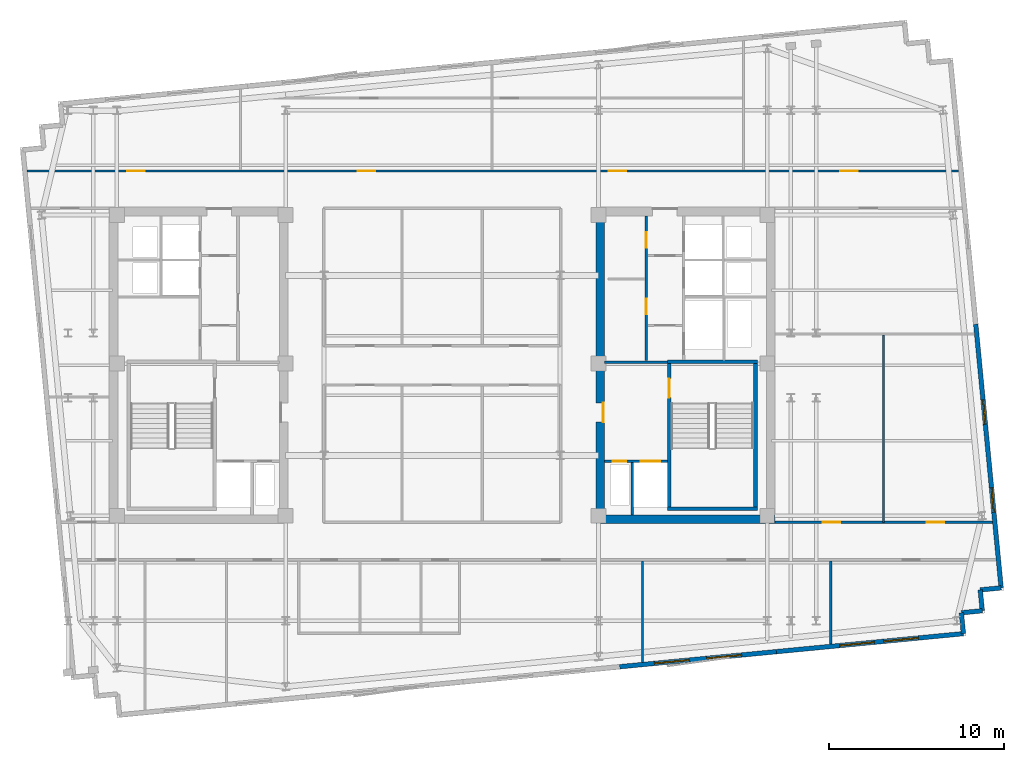
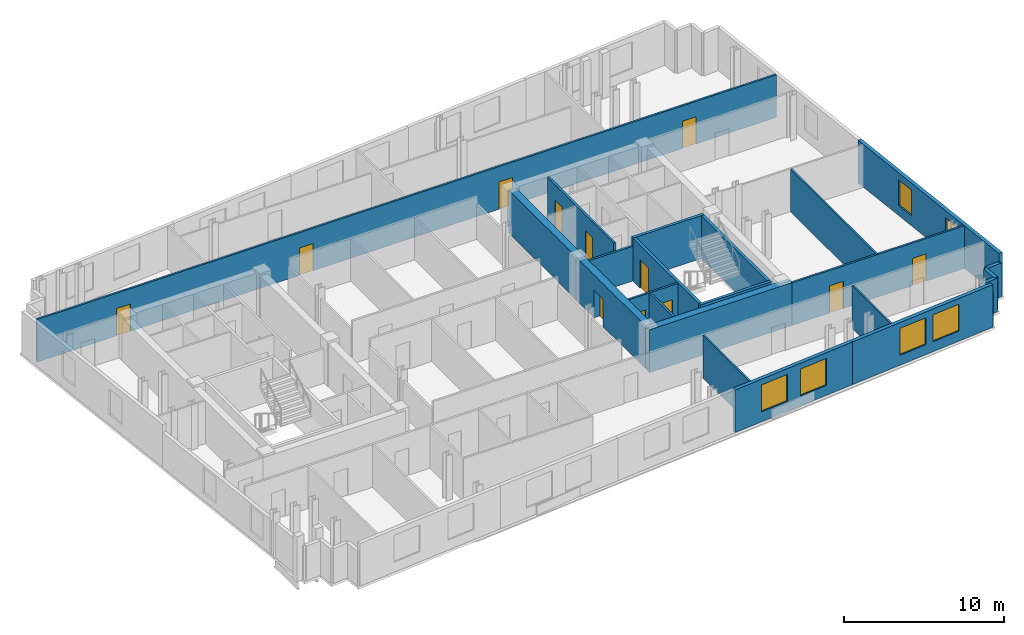
# One storey, part 5 of 9: 22 walls, 12 doors, 6 windows, 18 openings.
"""IFC4 building model written with IfcOpenShell, lengths in metres."""

from ifc_helpers import new_model, si_unit, direction, frame, frame_2d, origin, place, context, subcontext, project, spatial, rectangle, extrude, material, layer, layer_set, type_object, element, fill, save


model = new_model("IFC4")

# Units and contexts
model_context = context("Model", 3, precision=1e-05, world=origin(), true_north=direction((0.0, 1.0)))
body_context = subcontext(model_context, "Body", "Model", "MODEL_VIEW")
ifc_project = project(units=[si_unit("LENGTHUNIT", "METRE"), si_unit("AREAUNIT", "SQUARE_METRE"), si_unit("VOLUMEUNIT", "CUBIC_METRE"), si_unit("PLANEANGLEUNIT", "RADIAN"), si_unit("MASSUNIT", "GRAM", prefix="KILO")], contexts=[model_context])

# Site, building, storey
site_placement = place(None, origin())
site = spatial("IfcSite", under=ifc_project, at=site_placement, CompositionType="ELEMENT")
building_placement = place(site_placement, origin())
building = spatial("IfcBuilding", under=site, at=building_placement, Name="Velakula Bourse", CompositionType="ELEMENT")
storey_placement = place(building_placement, frame((0.0, 0.0, 272.39990234375)))
storey = spatial("IfcBuildingStorey", under=building, at=storey_placement, Name="L74", CompositionType="ELEMENT", Elevation=272.39990234375)

# Wall, opening, door
ifc_material_1 = material(Name="Concrete M50 (fck 50 MPa)", Category="concrete")
ifc_layer_1 = layer(ifc_material_1, 0.2099609375, Name="Concrete M50 (fck 50 MPa)", Category="concrete")
ifc_layer_set_1 = layer_set([ifc_layer_1], Name="Concrete M50 (fck 50 MPa)")
wall_type_1 = type_object("IfcWallType", Name="WL-CORE-210", PredefinedType="SHEAR", material=ifc_layer_set_1)
wall_1_placement = place(storey_placement, frame((12.9951171875, -8.10009765625, 0.0), z_axis=(0.0, 0.0, 1.0), x_axis=(0.0, 1.0, 0.0)))
wall_1 = element("IfcWall", 1, at=wall_1_placement, inside=storey, type_object=wall_type_1, Name="L74 Core E Stairwell Shear Wall IN", PredefinedType="SHEAR", context=body_context, shape_type="SweptSolid", body=[
    extrude(rectangle(XDim=8.2001953125, YDim=0.2099609375, at=frame_2d((4.10009765625, 0.0))), origin(), (0.0, 0.0, 1.0), 3.27001953125),
])
opening_1_placement = place(wall_1_placement, frame((6.25, 0.0, 0.0)))
opening_1 = element("IfcOpeningElement", 2, at=opening_1_placement, cuts=wall_1, Name="Opening D-STE1", PredefinedType="OPENING", context=body_context, shape_type="SweptSolid", body=[
    extrude(rectangle(XDim=1.10009765625, YDim=2.14990234375, at=frame_2d((0.550048828125, 1.074951171875))), frame((0.0, 0.114990234375, 0.0), z_axis=(0.0, -1.0, 0.0), x_axis=(1.0, 0.0, 0.0)), (0.0, 0.0, 1.0), 0.22998046875),
])
ifc_material_2 = material(Name="Galvanised painted hollow steel fire door", Category="steel")
door_type_1 = type_object("IfcDoorType", Name="DR-FD120-1100x2150", OperationType="NOTDEFINED", PredefinedType="DOOR", material=ifc_material_2)
door_1_placement = place(opening_1_placement, origin())
door_1 = element("IfcDoor", 3, at=door_1_placement, inside=storey, type_object=door_type_1, Name="L74 Stair ST-E1 Fire Door", OperationType="SINGLE_SWING_RIGHT", OverallHeight=2.14990234375, OverallWidth=1.10009765625, PredefinedType="DOOR", context=body_context, shape_type="SweptSolid", body=[
    extrude(rectangle(XDim=1.10009765625, YDim=2.14990234375, at=frame_2d((0.550048828125, 1.074951171875))), frame((0.0, 0.02490234375, 0.0), z_axis=(0.0, -1.0, 0.0), x_axis=(1.0, 0.0, 0.0)), (0.0, 0.0, 1.0), 0.050048828125),
])
fill(opening_1, door_1)

# Walls
wall_2_placement = place(storey_placement, frame((17.925048828125, -8.10009765625, 0.0), z_axis=(0.0, 0.0, 1.0), x_axis=(0.0, 1.0, 0.0)))
element("IfcWall", 4, at=wall_2_placement, inside=storey, type_object=wall_type_1, Name="L74 Core E Stairwell Shear Wall OUT", PredefinedType="SHEAR", context=body_context, shape_type="SweptSolid", body=[
    extrude(rectangle(XDim=8.2001953125, YDim=0.2099609375, at=frame_2d((4.10009765625, 0.0))), origin(), (0.0, 0.0, 1.0), 3.27001953125),
])
for number, where, z_axis, x_axis, name in (
    (5, (12.889892578125, -8.205078125, 0.0), (0.0, 0.0, 1.0), (1.0, 0.0, 0.0), "L74 Core E Stairwell Shear Wall S"),
    (6, (18.030029296875, 0.205078125, 0.0), (0.0, 0.0, 1.0), (-1.0, 0.0, 0.0), "L74 Core E Stairwell Shear Wall N"),
):
    element("IfcWall", number, at=place(storey_placement, frame(where, z_axis=z_axis, x_axis=x_axis)), inside=storey, type_object=wall_type_1, Name=name, PredefinedType="SHEAR", context=body_context, shape_type="SweptSolid", body=[
        extrude(rectangle(XDim=5.14013671875, YDim=0.2099609375, at=frame_2d((2.570068359375, 0.0))), origin(), (0.0, 0.0, 1.0), 3.27001953125),
    ])
ifc_layer_2 = layer(ifc_material_1, 0.5, Name="Concrete M50 (fck 50 MPa)", Category="concrete")
ifc_layer_set_2 = layer_set([ifc_layer_2], Name="Concrete M50 (fck 50 MPa)")
wall_type_2 = type_object("IfcWallType", Name="WL-CORE-500", PredefinedType="SHEAR", material=ifc_layer_set_2)
wall_3_placement = place(storey_placement, frame((8.800048828125, -8.800048828125, 0.0), z_axis=(0.0, 0.0, 1.0), x_axis=(1.0, 0.0, 0.0)))
element("IfcWall", 7, at=wall_3_placement, inside=storey, type_object=wall_type_2, Name="L74 Core E Shear Wall S", PredefinedType="SHEAR", context=body_context, shape_type="SweptSolid", body=[
    extrude(rectangle(XDim=10.25, YDim=0.5, at=frame_2d((5.125, 0.0))), origin(), (0.0, 0.0, 1.0), 3.27001953125),
])

# Wall, opening, door
wall_4_placement = place(storey_placement, frame((9.050048828125, -8.550048828125, 0.0), z_axis=(0.0, 0.0, 1.0), x_axis=(0.0, 1.0, 0.0)))
wall_4 = element("IfcWall", 8, at=wall_4_placement, inside=storey, type_object=wall_type_2, Name="L74 Core E Shear Wall W", PredefinedType="SHEAR", context=body_context, shape_type="SweptSolid", body=[
    extrude(rectangle(XDim=17.10009765625, YDim=0.5, at=frame_2d((8.550048828125, 0.0))), origin(), (0.0, 0.0, 1.0), 3.27001953125),
])
opening_2_placement = place(wall_4_placement, frame((5.300048828125, 0.0, 0.0)))
opening_2 = element("IfcOpeningElement", 9, at=opening_2_placement, cuts=wall_4, Name="Opening D-FLE", PredefinedType="OPENING", context=body_context, shape_type="SweptSolid", body=[
    extrude(rectangle(XDim=1.10009765625, YDim=2.080078125, at=frame_2d((0.550048828125, 1.0400390625))), frame((0.0, 0.260009765625, 0.0), z_axis=(0.0, -1.0, 0.0), x_axis=(1.0, 0.0, 0.0)), (0.0, 0.0, 1.0), 0.52001953125),
])
door_type_2 = type_object("IfcDoorType", Name="DR-FD120-1100", OperationType="NOTDEFINED", PredefinedType="DOOR", material=ifc_material_2)
door_2_placement = place(opening_2_placement, origin())
door_2 = element("IfcDoor", 10, at=door_2_placement, inside=storey, type_object=door_type_2, Name="L74 Firefighting Lobby E Corridor Fire Door", OperationType="SINGLE_SWING_RIGHT", OverallHeight=2.080078125, OverallWidth=1.10009765625, PredefinedType="DOOR", context=body_context, shape_type="SweptSolid", body=[
    extrude(rectangle(XDim=1.10009765625, YDim=2.080078125, at=frame_2d((0.550048828125, 1.0400390625))), frame((0.0, -0.15478515625, 0.0), z_axis=(0.0, -1.0, 0.0), x_axis=(1.0, 0.0, 0.0)), (0.0, 0.0, 1.0), 0.050048828125),
])
fill(opening_2, door_2)

# Wall, openings, windows
ifc_material_3 = material(Name="Buff kilned clay facing brick masonry", Category="masonry")
ifc_layer_3 = layer(ifc_material_3, 0.260009765625, Name="Buff kilned clay facing brick masonry", Category="masonry")
ifc_layer_set_3 = layer_set([ifc_layer_3], Name="Buff kilned clay facing brick masonry")
wall_type_3 = type_object("IfcWallType", Name="WL-EXT-BRK-260", PredefinedType="STANDARD", material=ifc_layer_set_3)
wall_5_placement = place(storey_placement, frame((19.119873046875, -16.375244140625, 0.0), z_axis=(0.0, 0.0, 1.0), x_axis=(-0.995396794462, -0.09583956164, 0.0)))
wall_5 = element("IfcWall", 11, at=wall_5_placement, inside=storey, type_object=wall_type_3, Name="L74 S Brick Spandrel Wall B4", PredefinedType="STANDARD", context=body_context, shape_type="SweptSolid", body=[
    extrude(rectangle(XDim=9.0, YDim=0.260009765625, at=frame_2d((4.5, 0.0))), origin(), (0.0, 0.0, 1.0), 3.25),
])
opening_3_placement = place(wall_5_placement, frame((2.0, 0.0, 0.760009765625)))
opening_3 = element("IfcOpeningElement", 12, at=opening_3_placement, cuts=wall_5, Name="Opening W-05", PredefinedType="OPENING", context=body_context, shape_type="SweptSolid", body=[
    extrude(rectangle(XDim=2.0, YDim=2.050048828125, at=frame_2d((1.0, 1.02490234375))), frame((0.0, 0.139892578125, 0.0), z_axis=(0.0, -1.0, 0.0), x_axis=(1.0, 0.0, 0.0)), (0.0, 0.0, 1.0), 0.280029296875),
])
opening_4_placement = place(wall_5_placement, frame((5.0, 0.0, 0.760009765625)))
opening_4 = element("IfcOpeningElement", 13, at=opening_4_placement, cuts=wall_5, Name="Opening W-05", PredefinedType="OPENING", context=body_context, shape_type="SweptSolid", body=[
    extrude(rectangle(XDim=2.0, YDim=2.050048828125, at=frame_2d((1.0, 1.02490234375))), frame((0.0, 0.139892578125, 0.0), z_axis=(0.0, -1.0, 0.0), x_axis=(1.0, 0.0, 0.0)), (0.0, 0.0, 1.0), 0.280029296875),
])
ifc_material_4 = material(Name="Double-glazed solar-control Low-E glass", Category="glass")
window_type_1 = type_object("IfcWindowType", Name="WIN-TWR-2000x2200", PartitioningType="DOUBLE_PANEL_VERTICAL", PredefinedType="WINDOW", material=ifc_material_4)
window_1_placement = place(opening_3_placement, origin())
window_1 = element("IfcWindow", 14, at=window_1_placement, inside=storey, type_object=window_type_1, Name="L74 Deep-Set Recessed Window 1", OverallHeight=2.050048828125, OverallWidth=2.0, PartitioningType="DOUBLE_PANEL_VERTICAL", PredefinedType="WINDOW", context=body_context, shape_type="SweptSolid", body=[
    extrude(rectangle(XDim=2.0, YDim=2.050048828125, at=frame_2d((1.0, 1.02490234375))), frame((0.0, 0.030029296875, 0.0), z_axis=(0.0, -1.0, 0.0), x_axis=(1.0, 0.0, 0.0)), (0.0, 0.0, 1.0), 0.06005859375),
])
fill(opening_3, window_1)
window_2_placement = place(opening_4_placement, origin())
window_2 = element("IfcWindow", 15, at=window_2_placement, inside=storey, type_object=window_type_1, Name="L74 Deep-Set Recessed Window 2", OverallHeight=2.050048828125, OverallWidth=2.0, PartitioningType="DOUBLE_PANEL_VERTICAL", PredefinedType="WINDOW", context=body_context, shape_type="SweptSolid", body=[
    extrude(rectangle(XDim=2.0, YDim=2.050048828125, at=frame_2d((1.0, 1.02490234375))), frame((0.0, 0.030029296875, 0.0), z_axis=(0.0, -1.0, 0.0), x_axis=(1.0, 0.0, 0.0)), (0.0, 0.0, 1.0), 0.06005859375),
])
fill(opening_4, window_2)

wall_6_placement = place(storey_placement, frame((29.820556640625, -15.344970703125, 0.0), z_axis=(0.0, 0.0, 1.0), x_axis=(-0.995396954468, -0.095837899791, 0.0)))
wall_6 = element("IfcWall", 16, at=wall_6_placement, inside=storey, type_object=wall_type_3, Name="L74 S Brick Spandrel Wall B5", PredefinedType="STANDARD", context=body_context, shape_type="SweptSolid", body=[
    extrude(rectangle(XDim=10.750244140625, YDim=0.260009765625, at=frame_2d((5.375, 0.0))), origin(), (0.0, 0.0, 1.0), 3.25),
])
opening_5_placement = place(wall_6_placement, frame((2.583251953125, 0.0, 0.760009765625)))
opening_5 = element("IfcOpeningElement", 17, at=opening_5_placement, cuts=wall_6, Name="Opening W-05", PredefinedType="OPENING", context=body_context, shape_type="SweptSolid", body=[
    extrude(rectangle(XDim=2.0, YDim=2.050048828125, at=frame_2d((1.0, 1.02490234375))), frame((0.0, 0.139892578125, 0.0), z_axis=(0.0, -1.0, 0.0), x_axis=(1.0, 0.0, 0.0)), (0.0, 0.0, 1.0), 0.280029296875),
])
opening_6_placement = place(wall_6_placement, frame((5.11669921875, 0.0, 0.760009765625)))
opening_6 = element("IfcOpeningElement", 18, at=opening_6_placement, cuts=wall_6, Name="Opening W-05", PredefinedType="OPENING", context=body_context, shape_type="SweptSolid", body=[
    extrude(rectangle(XDim=2.0, YDim=2.050048828125, at=frame_2d((1.0, 1.02490234375))), frame((0.0, 0.139892578125, 0.0), z_axis=(0.0, -1.0, 0.0), x_axis=(1.0, 0.0, 0.0)), (0.0, 0.0, 1.0), 0.280029296875),
])
window_3_placement = place(opening_5_placement, origin())
window_3 = element("IfcWindow", 19, at=window_3_placement, inside=storey, type_object=window_type_1, Name="L74 Deep-Set Recessed Window 1", OverallHeight=2.050048828125, OverallWidth=2.0, PartitioningType="DOUBLE_PANEL_VERTICAL", PredefinedType="WINDOW", context=body_context, shape_type="SweptSolid", body=[
    extrude(rectangle(XDim=2.0, YDim=2.050048828125, at=frame_2d((1.0, 1.02490234375))), frame((0.0, 0.030029296875, 0.0), z_axis=(0.0, -1.0, 0.0), x_axis=(1.0, 0.0, 0.0)), (0.0, 0.0, 1.0), 0.06005859375),
])
fill(opening_5, window_3)
window_4_placement = place(opening_6_placement, origin())
window_4 = element("IfcWindow", 20, at=window_4_placement, inside=storey, type_object=window_type_1, Name="L74 Deep-Set Recessed Window 2", OverallHeight=2.050048828125, OverallWidth=2.0, PartitioningType="DOUBLE_PANEL_VERTICAL", PredefinedType="WINDOW", context=body_context, shape_type="SweptSolid", body=[
    extrude(rectangle(XDim=2.0, YDim=2.050048828125, at=frame_2d((1.0, 1.02490234375))), frame((0.0, 0.030029296875, 0.0), z_axis=(0.0, -1.0, 0.0), x_axis=(1.0, 0.0, 0.0)), (0.0, 0.0, 1.0), 0.06005859375),
])
fill(opening_6, window_4)

wall_7_placement = place(storey_placement, frame((30.52734375, 2.354248046875, 0.0), z_axis=(0.0, 0.0, 1.0), x_axis=(0.095850890337, -0.995395703638, 0.0)))
wall_7 = element("IfcWall", 21, at=wall_7_placement, inside=storey, type_object=wall_type_3, Name="L74 E Brick End Wall W1", PredefinedType="STANDARD", context=body_context, shape_type="SweptSolid", body=[
    extrude(rectangle(XDim=15.150146484375, YDim=0.260009765625, at=frame_2d((7.5751953125, 0.0))), origin(), (0.0, 0.0, 1.0), 3.25),
])
opening_7_placement = place(wall_7_placement, frame((4.35009765625, 0.0, 0.760009765625)))
opening_7 = element("IfcOpeningElement", 22, at=opening_7_placement, cuts=wall_7, Name="Opening W-03", PredefinedType="OPENING", context=body_context, shape_type="SweptSolid", body=[
    extrude(rectangle(XDim=1.39990234375, YDim=1.949951171875, at=frame_2d((0.699951171875, 0.97509765625))), frame((0.0, 0.139892578125, 0.0), z_axis=(0.0, -1.0, 0.0), x_axis=(1.0, 0.0, 0.0)), (0.0, 0.0, 1.0), 0.280029296875),
])
opening_8_placement = place(wall_7_placement, frame((9.39990234375, 0.0, 0.760009765625)))
opening_8 = element("IfcOpeningElement", 23, at=opening_8_placement, cuts=wall_7, Name="Opening W-03", PredefinedType="OPENING", context=body_context, shape_type="SweptSolid", body=[
    extrude(rectangle(XDim=1.39990234375, YDim=1.949951171875, at=frame_2d((0.699951171875, 0.97509765625))), frame((0.0, 0.139892578125, 0.0), z_axis=(0.0, -1.0, 0.0), x_axis=(1.0, 0.0, 0.0)), (0.0, 0.0, 1.0), 0.280029296875),
])
window_type_2 = type_object("IfcWindowType", Name="WIN-TWR-1400x2100", PartitioningType="SINGLE_PANEL", PredefinedType="WINDOW", material=ifc_material_4)
window_5_placement = place(opening_7_placement, origin())
window_5 = element("IfcWindow", 24, at=window_5_placement, inside=storey, type_object=window_type_2, Name="L74 Deep-Set Recessed Window 1", OverallHeight=1.949951171875, OverallWidth=1.39990234375, PartitioningType="SINGLE_PANEL", PredefinedType="WINDOW", context=body_context, shape_type="SweptSolid", body=[
    extrude(rectangle(XDim=1.39990234375, YDim=1.949951171875, at=frame_2d((0.699951171875, 0.97509765625))), frame((0.0, 0.030029296875, 0.0), z_axis=(0.0, -1.0, 0.0), x_axis=(1.0, 0.0, 0.0)), (0.0, 0.0, 1.0), 0.06005859375),
])
fill(opening_7, window_5)
window_6_placement = place(opening_8_placement, origin())
window_6 = element("IfcWindow", 25, at=window_6_placement, inside=storey, type_object=window_type_2, Name="L74 Deep-Set Recessed Window 2", OverallHeight=1.949951171875, OverallWidth=1.39990234375, PartitioningType="SINGLE_PANEL", PredefinedType="WINDOW", context=body_context, shape_type="SweptSolid", body=[
    extrude(rectangle(XDim=1.39990234375, YDim=1.949951171875, at=frame_2d((0.699951171875, 0.97509765625))), frame((0.0, 0.030029296875, 0.0), z_axis=(0.0, -1.0, 0.0), x_axis=(1.0, 0.0, 0.0)), (0.0, 0.0, 1.0), 0.06005859375),
])
fill(opening_8, window_6)

# Walls
for number, where, z_axis, x_axis, name in (
    (26, (29.820556640625, -15.344970703125, 0.0), (0.0, 0.0, 1.0), (-0.096018626938, 0.995379537303, 0.0), "L74 Serrated Corner Brick Wall SE-1"),
    (27, (29.705322265625, -14.150390625, 0.0), (0.0, 0.0, 1.0), (0.995398960025, 0.095817067274, 0.0), "L74 Serrated Corner Brick Wall SE-2"),
):
    element("IfcWall", number, at=place(storey_placement, frame(where, z_axis=z_axis, x_axis=x_axis)), inside=storey, type_object=wall_type_3, Name=name, PredefinedType="STANDARD", context=body_context, shape_type="SweptSolid", body=[
        extrude(rectangle(XDim=1.2001953125, YDim=0.260009765625, at=frame_2d((0.60009765625, 0.0))), origin(), (0.0, 0.0, 1.0), 2.565185546875),
    ])
wall_8_placement = place(storey_placement, frame((30.89990234375, -14.035400390625, 0.0), z_axis=(0.0, 0.0, 1.0), x_axis=(-0.095836473879, 0.995397091755, 0.0)))
element("IfcWall", 28, at=wall_8_placement, inside=storey, type_object=wall_type_3, Name="L74 Serrated Corner Brick Wall SE-3", PredefinedType="STANDARD", context=body_context, shape_type="SweptSolid", body=[
    extrude(rectangle(XDim=1.199951171875, YDim=0.260009765625, at=frame_2d((0.60009765625, 0.0))), origin(), (0.0, 0.0, 1.0), 2.565185546875),
])
wall_9_placement = place(storey_placement, frame((30.784912109375, -12.841064453125, 0.0), z_axis=(0.0, 0.0, 1.0), x_axis=(0.995398960025, 0.095817067274, 0.0)))
element("IfcWall", 29, at=wall_9_placement, inside=storey, type_object=wall_type_3, Name="L74 Serrated Corner Brick Wall SE-4", PredefinedType="STANDARD", context=body_context, shape_type="SweptSolid", body=[
    extrude(rectangle(XDim=1.2001953125, YDim=0.260009765625, at=frame_2d((0.60009765625, 0.0))), origin(), (0.0, 0.0, 1.0), 2.565185546875),
])
ifc_material_5 = material(Name="Fire-rated double-layer gypsum drywall partition", Category="gypsum")
ifc_layer_4 = layer(ifc_material_5, 0.1201171875, Name="Fire-rated double-layer gypsum drywall partition", Category="gypsum")
ifc_layer_set_4 = layer_set([ifc_layer_4], Name="Fire-rated double-layer gypsum drywall partition")
wall_type_4 = type_object("IfcWallType", Name="WL-PART-120", PredefinedType="STANDARD", material=ifc_layer_set_4)
wall_10_placement = place(storey_placement, frame((11.4619140625, -16.982177734375, 0.0), z_axis=(0.0, 0.0, 1.0), x_axis=(0.0, 1.0, 0.0)))
element("IfcWall", 30, at=wall_10_placement, inside=storey, type_object=wall_type_4, Name="L74 Interior Partition WL-INT-L74-SR-D7", PredefinedType="STANDARD", context=body_context, shape_type="SweptSolid", body=[
    extrude(rectangle(XDim=5.792236328125, YDim=0.1201171875, at=frame_2d((2.89599609375, 0.0))), origin(), (0.0, 0.0, 1.0), 3.25),
])
wall_11_placement = place(storey_placement, frame((22.23291015625, -15.94482421875, 0.0), z_axis=(0.0, 0.0, 1.0), x_axis=(0.0, 1.0, 0.0)))
element("IfcWall", 31, at=wall_11_placement, inside=storey, type_object=wall_type_4, Name="L74 Interior Partition WL-INT-L74-SR-D8", PredefinedType="STANDARD", context=body_context, shape_type="SweptSolid", body=[
    extrude(rectangle(XDim=4.7548828125, YDim=0.1201171875, at=frame_2d((2.37744140625, 0.0))), origin(), (0.0, 0.0, 1.0), 3.25),
])
wall_12_placement = place(storey_placement, frame((25.239013671875, -8.97998046875, 0.0), z_axis=(0.0, 0.0, 1.0), x_axis=(0.0, 1.0, 0.0)))
element("IfcWall", 32, at=wall_12_placement, inside=storey, type_object=wall_type_4, Name="L74 Interior Partition WL-INT-L74-E-VS", PredefinedType="STANDARD", context=body_context, shape_type="SweptSolid", body=[
    extrude(rectangle(XDim=10.719970703125, YDim=0.1201171875, at=frame_2d((5.35986328125, 0.0))), origin(), (0.0, 0.0, 1.0), 3.25),
])

# Wall, openings, doors
ifc_layer_5 = layer(ifc_material_5, 0.139892578125, Name="Fire-rated double-layer gypsum drywall partition", Category="gypsum")
ifc_layer_set_5 = layer_set([ifc_layer_5], Name="Fire-rated double-layer gypsum drywall partition")
wall_type_5 = type_object("IfcWallType", Name="WL-PART-140", PredefinedType="STANDARD", material=ifc_layer_set_5)
wall_13_placement = place(storey_placement, frame((-23.732666015625, 11.1201171875, 0.0), z_axis=(0.0, 0.0, 1.0), x_axis=(1.0, 0.0, 0.0)))
wall_13 = element("IfcWall", 33, at=wall_13_placement, inside=storey, type_object=wall_type_5, Name="L74 Interior Partition WL-INT-L74-N-CORR", PredefinedType="STANDARD", context=body_context, shape_type="SweptSolid", body=[
    extrude(rectangle(XDim=53.285400390625, YDim=0.139892578125, at=frame_2d((26.642578125, 0.0))), origin(), (0.0, 0.0, 1.0), 3.25),
])
opening_9_placement = place(wall_13_placement, frame((5.730712890625, 0.0, 0.0)))
opening_9 = element("IfcOpeningElement", 34, at=opening_9_placement, cuts=wall_13, Name="Opening D-OF1", PredefinedType="OPENING", context=body_context, shape_type="SweptSolid", body=[
    extrude(rectangle(XDim=1.0, YDim=2.080078125, at=frame_2d((0.5, 1.0400390625))), frame((0.0, 0.079833984375, 0.0), z_axis=(0.0, -1.0, 0.0), x_axis=(1.0, 0.0, 0.0)), (0.0, 0.0, 1.0), 0.159912109375),
])
opening_10_placement = place(wall_13_placement, frame((18.899658203125, 0.0, 0.0)))
opening_10 = element("IfcOpeningElement", 35, at=opening_10_placement, cuts=wall_13, Name="Opening D-OF1", PredefinedType="OPENING", context=body_context, shape_type="SweptSolid", body=[
    extrude(rectangle(XDim=1.0, YDim=2.080078125, at=frame_2d((0.5, 1.0400390625))), frame((0.0, 0.079833984375, 0.0), z_axis=(0.0, -1.0, 0.0), x_axis=(1.0, 0.0, 0.0)), (0.0, 0.0, 1.0), 0.159912109375),
])
opening_11_placement = place(wall_13_placement, frame((33.279052734375, 0.0, 0.0)))
opening_11 = element("IfcOpeningElement", 36, at=opening_11_placement, cuts=wall_13, Name="Opening D-OF1", PredefinedType="OPENING", context=body_context, shape_type="SweptSolid", body=[
    extrude(rectangle(XDim=1.0, YDim=2.080078125, at=frame_2d((0.5, 1.0400390625))), frame((0.0, 0.079833984375, 0.0), z_axis=(0.0, -1.0, 0.0), x_axis=(1.0, 0.0, 0.0)), (0.0, 0.0, 1.0), 0.159912109375),
])
opening_12_placement = place(wall_13_placement, frame((46.5009765625, 0.0, 0.0)))
opening_12 = element("IfcOpeningElement", 37, at=opening_12_placement, cuts=wall_13, Name="Opening D-OF1", PredefinedType="OPENING", context=body_context, shape_type="SweptSolid", body=[
    extrude(rectangle(XDim=1.0, YDim=2.080078125, at=frame_2d((0.5, 1.0400390625))), frame((0.0, 0.079833984375, 0.0), z_axis=(0.0, -1.0, 0.0), x_axis=(1.0, 0.0, 0.0)), (0.0, 0.0, 1.0), 0.159912109375),
])
ifc_material_6 = material(Name="Fire-rated hardwood flush architectural door", Category="wood")
door_type_3 = type_object("IfcDoorType", Name="DR-OFF-1000", OperationType="NOTDEFINED", PredefinedType="DOOR", material=ifc_material_6)
door_3_placement = place(opening_9_placement, origin())
door_3 = element("IfcDoor", 38, at=door_3_placement, inside=storey, type_object=door_type_3, Name="L74 Cybersecurity Operations Workspace Door", OperationType="SINGLE_SWING_LEFT", OverallHeight=2.080078125, OverallWidth=1.0, PredefinedType="DOOR", context=body_context, shape_type="SweptSolid", body=[
    extrude(rectangle(XDim=1.0, YDim=2.080078125, at=frame_2d((0.5, 1.0400390625))), frame((0.0, 0.02490234375, 0.0), z_axis=(0.0, -1.0, 0.0), x_axis=(1.0, 0.0, 0.0)), (0.0, 0.0, 1.0), 0.050048828125),
])
fill(opening_9, door_3)
door_4_placement = place(opening_10_placement, origin())
door_4 = element("IfcDoor", 39, at=door_4_placement, inside=storey, type_object=door_type_3, Name="L74 Listing Committee Chamber Door", OperationType="SINGLE_SWING_RIGHT", OverallHeight=2.080078125, OverallWidth=1.0, PredefinedType="DOOR", context=body_context, shape_type="SweptSolid", body=[
    extrude(rectangle(XDim=1.0, YDim=2.080078125, at=frame_2d((0.5, 1.0400390625))), frame((0.0, 0.02490234375, 0.0), z_axis=(0.0, -1.0, 0.0), x_axis=(1.0, 0.0, 0.0)), (0.0, 0.0, 1.0), 0.050048828125),
])
fill(opening_10, door_4)
door_5_placement = place(opening_11_placement, origin())
door_5 = element("IfcDoor", 40, at=door_5_placement, inside=storey, type_object=door_type_3, Name="L74 Training Classroom Door", OperationType="SINGLE_SWING_RIGHT", OverallHeight=2.080078125, OverallWidth=1.0, PredefinedType="DOOR", context=body_context, shape_type="SweptSolid", body=[
    extrude(rectangle(XDim=1.0, YDim=2.080078125, at=frame_2d((0.5, 1.0400390625))), frame((0.0, 0.02490234375, 0.0), z_axis=(0.0, -1.0, 0.0), x_axis=(1.0, 0.0, 0.0)), (0.0, 0.0, 1.0), 0.050048828125),
])
fill(opening_11, door_5)
door_6_placement = place(opening_12_placement, origin())
door_6 = element("IfcDoor", 41, at=door_6_placement, inside=storey, type_object=door_type_3, Name="L74 Sky-Garden Veranda Lounge Door", OperationType="SINGLE_SWING_RIGHT", OverallHeight=2.080078125, OverallWidth=1.0, PredefinedType="DOOR", context=body_context, shape_type="SweptSolid", body=[
    extrude(rectangle(XDim=1.0, YDim=2.080078125, at=frame_2d((0.5, 1.0400390625))), frame((0.0, 0.02490234375, 0.0), z_axis=(0.0, -1.0, 0.0), x_axis=(1.0, 0.0, 0.0)), (0.0, 0.0, 1.0), 0.050048828125),
])
fill(opening_12, door_6)

wall_14_placement = place(storey_placement, frame((19.050048828125, -8.97998046875, 0.0), z_axis=(0.0, 0.0, 1.0), x_axis=(1.0, 0.0, 0.0)))
wall_14 = element("IfcWall", 42, at=wall_14_placement, inside=storey, type_object=wall_type_5, Name="L74 Interior Partition WL-INT-L74-E-SC", PredefinedType="STANDARD", context=body_context, shape_type="SweptSolid", body=[
    extrude(rectangle(XDim=12.43798828125, YDim=0.139892578125, at=frame_2d((6.218994140625, 0.0))), origin(), (0.0, 0.0, 1.0), 3.25),
])
opening_13_placement = place(wall_14_placement, frame((2.724609375, 0.0, 0.0)))
opening_13 = element("IfcOpeningElement", 43, at=opening_13_placement, cuts=wall_14, Name="Opening D-OF1", PredefinedType="OPENING", context=body_context, shape_type="SweptSolid", body=[
    extrude(rectangle(XDim=1.0, YDim=2.080078125, at=frame_2d((0.5, 1.0400390625))), frame((0.0, 0.079833984375, 0.0), z_axis=(0.0, -1.0, 0.0), x_axis=(1.0, 0.0, 0.0)), (0.0, 0.0, 1.0), 0.159912109375),
])
opening_14_placement = place(wall_14_placement, frame((8.68359375, 0.0, 0.0)))
opening_14 = element("IfcOpeningElement", 44, at=opening_14_placement, cuts=wall_14, Name="Opening D-OF1", PredefinedType="OPENING", context=body_context, shape_type="SweptSolid", body=[
    extrude(rectangle(XDim=1.0, YDim=2.080078125, at=frame_2d((0.5, 1.0400390625))), frame((0.0, 0.079833984375, 0.0), z_axis=(0.0, -1.0, 0.0), x_axis=(1.0, 0.0, 0.0)), (0.0, 0.0, 1.0), 0.159912109375),
])
door_7_placement = place(opening_13_placement, origin())
door_7 = element("IfcDoor", 45, at=door_7_placement, inside=storey, type_object=door_type_3, Name="L74 Green-Bond Carbon Exchange Workspace Door", OperationType="SINGLE_SWING_LEFT", OverallHeight=2.080078125, OverallWidth=1.0, PredefinedType="DOOR", context=body_context, shape_type="SweptSolid", body=[
    extrude(rectangle(XDim=1.0, YDim=2.080078125, at=frame_2d((0.5, 1.0400390625))), frame((0.0, 0.02490234375, 0.0), z_axis=(0.0, -1.0, 0.0), x_axis=(1.0, 0.0, 0.0)), (0.0, 0.0, 1.0), 0.050048828125),
])
fill(opening_13, door_7)
door_8_placement = place(opening_14_placement, origin())
door_8 = element("IfcDoor", 46, at=door_8_placement, inside=storey, type_object=door_type_3, Name="L74 General Counsel Office Door", OperationType="SINGLE_SWING_RIGHT", OverallHeight=2.080078125, OverallWidth=1.0, PredefinedType="DOOR", context=body_context, shape_type="SweptSolid", body=[
    extrude(rectangle(XDim=1.0, YDim=2.080078125, at=frame_2d((0.5, 1.0400390625))), frame((0.0, 0.02490234375, 0.0), z_axis=(0.0, -1.0, 0.0), x_axis=(1.0, 0.0, 0.0)), (0.0, 0.0, 1.0), 0.050048828125),
])
fill(opening_14, door_8)

ifc_material_7 = material(Name="Autoclaved aerated concrete blockwork masonry", Category="masonry")
ifc_layer_6 = layer(ifc_material_7, 0.14990234375, Name="Autoclaved aerated concrete blockwork masonry", Category="masonry")
ifc_layer_set_6 = layer_set([ifc_layer_6], Name="Autoclaved aerated concrete blockwork masonry")
wall_type_6 = type_object("IfcWallType", Name="WL-SHAFT-150", PredefinedType="STANDARD", material=ifc_layer_set_6)
wall_15_placement = place(storey_placement, frame((9.300048828125, -5.47509765625, 0.0), z_axis=(0.0, 0.0, 1.0), x_axis=(1.0, 0.0, 0.0)))
wall_15 = element("IfcWall", 47, at=wall_15_placement, inside=storey, type_object=wall_type_6, Name="L74 Interior Partition WL-CRE-L74-FFL-N", PredefinedType="STANDARD", context=body_context, shape_type="SweptSolid", body=[
    extrude(rectangle(XDim=3.594970703125, YDim=0.14990234375, at=frame_2d((1.79736328125, 0.0))), origin(), (0.0, 0.0, 1.0), 3.25),
])
opening_15_placement = place(wall_15_placement, frame((2.074951171875, 0.0, 0.0)))
opening_15 = element("IfcOpeningElement", 48, at=opening_15_placement, cuts=wall_15, Name="Opening LD-FFL-2", PredefinedType="OPENING", context=body_context, shape_type="SweptSolid", body=[
    extrude(rectangle(XDim=1.10009765625, YDim=2.14990234375, at=frame_2d((0.550048828125, 1.074951171875))), frame((0.0, 0.0849609375, 0.0), z_axis=(0.0, -1.0, 0.0), x_axis=(1.0, 0.0, 0.0)), (0.0, 0.0, 1.0), 0.169921875),
])
opening_16_placement = place(wall_15_placement, frame((0.47509765625, 0.0, 0.0)))
opening_16 = element("IfcOpeningElement", 49, at=opening_16_placement, cuts=wall_15, Name="Opening D-RS1", PredefinedType="OPENING", context=body_context, shape_type="SweptSolid", body=[
    extrude(rectangle(XDim=0.75, YDim=2.050048828125, at=frame_2d((0.375, 1.02490234375))), frame((0.0, 0.0849609375, 0.0), z_axis=(0.0, -1.0, 0.0), x_axis=(1.0, 0.0, 0.0)), (0.0, 0.0, 1.0), 0.169921875),
])
door_type_4 = type_object("IfcDoorType", Name="DR-RISER-800", OperationType="NOTDEFINED", PredefinedType="DOOR", material=ifc_material_2)
door_9_placement = place(opening_16_placement, origin())
door_9 = element("IfcDoor", 50, at=door_9_placement, inside=storey, type_object=door_type_4, Name="L74 Fire Riser Access Door", OperationType="SINGLE_SWING_LEFT", OverallHeight=2.050048828125, OverallWidth=0.75, PredefinedType="DOOR", context=body_context, shape_type="SweptSolid", body=[
    extrude(rectangle(XDim=0.75, YDim=2.050048828125, at=frame_2d((0.375, 1.02490234375))), frame((0.0, 0.02490234375, 0.0), z_axis=(0.0, -1.0, 0.0), x_axis=(1.0, 0.0, 0.0)), (0.0, 0.0, 1.0), 0.050048828125),
])
fill(opening_16, door_9)
ifc_material_8 = material(Name="Brushed grade 316 stainless steel", Category="steel")
door_type_5 = type_object("IfcDoorType", Name="DR-SLIDE-FFL-1100", OperationType="DOUBLE_DOOR_SLIDING", PredefinedType="DOOR", material=ifc_material_8)
door_10_placement = place(opening_15_placement, origin())
door_10 = element("IfcDoor", 51, at=door_10_placement, inside=storey, type_object=door_type_5, Name="L74 Firefighting Lift FFL-2 Sliding Landing Door", OperationType="DOUBLE_DOOR_SLIDING", OverallHeight=2.14990234375, OverallWidth=1.10009765625, PredefinedType="DOOR", context=body_context, shape_type="SweptSolid", body=[
    extrude(rectangle(XDim=1.10009765625, YDim=2.14990234375, at=frame_2d((0.550048828125, 1.074951171875))), frame((0.0, 0.02490234375, 0.0), z_axis=(0.0, -1.0, 0.0), x_axis=(1.0, 0.0, 0.0)), (0.0, 0.0, 1.0), 0.050048828125),
])
fill(opening_15, door_10)

# Walls
wall_16_placement = place(storey_placement, frame((10.875, -8.550048828125, 0.0), z_axis=(0.0, 0.0, 1.0), x_axis=(0.0, 1.0, 0.0)))
element("IfcWall", 52, at=wall_16_placement, inside=storey, type_object=wall_type_6, Name="L74 Interior Partition WL-CRE-L74-FR-DIV", PredefinedType="STANDARD", context=body_context, shape_type="SweptSolid", body=[
    extrude(rectangle(XDim=3.0, YDim=0.14990234375, at=frame_2d((1.5, 0.0))), origin(), (0.0, 0.0, 1.0), 3.25),
])
wall_17_placement = place(storey_placement, frame((9.300048828125, 0.18994140625, 0.0), z_axis=(0.0, 0.0, 1.0), x_axis=(1.0, 0.0, 0.0)))
element("IfcWall", 53, at=wall_17_placement, inside=storey, type_object=wall_type_6, Name="L74 Interior Partition WL-CRE-L74-FF-TOP", PredefinedType="STANDARD", context=body_context, shape_type="SweptSolid", body=[
    extrude(rectangle(XDim=3.58984375, YDim=0.14990234375, at=frame_2d((1.794921875, 0.0))), origin(), (0.0, 0.0, 1.0), 2.64501953125),
])

# Wall, openings, doors
wall_18_placement = place(storey_placement, frame((11.675048828125, 0.27001953125, 0.0), z_axis=(0.0, 0.0, 1.0), x_axis=(0.0, 1.0, 0.0)))
wall_18 = element("IfcWall", 54, at=wall_18_placement, inside=storey, type_object=wall_type_6, Name="L74 Interior Partition WL-CRE-L74-BANK-F", PredefinedType="STANDARD", context=body_context, shape_type="SweptSolid", body=[
    extrude(rectangle(XDim=8.280029296875, YDim=0.14990234375, at=frame_2d((4.14013671875, 0.0))), origin(), (0.0, 0.0, 1.0), 3.25),
])
opening_17_placement = place(wall_18_placement, frame((2.64990234375, 0.0, 0.0)))
opening_17 = element("IfcOpeningElement", 55, at=opening_17_placement, cuts=wall_18, Name="Opening D-RC2", PredefinedType="OPENING", context=body_context, shape_type="SweptSolid", body=[
    extrude(rectangle(XDim=0.89990234375, YDim=2.050048828125, at=frame_2d((0.449951171875, 1.02490234375))), frame((0.0, 0.0849609375, 0.0), z_axis=(0.0, -1.0, 0.0), x_axis=(1.0, 0.0, 0.0)), (0.0, 0.0, 1.0), 0.169921875),
])
opening_18_placement = place(wall_18_placement, frame((6.449951171875, 0.0, 0.0)))
opening_18 = element("IfcOpeningElement", 56, at=opening_18_placement, cuts=wall_18, Name="Opening D-RC2", PredefinedType="OPENING", context=body_context, shape_type="SweptSolid", body=[
    extrude(rectangle(XDim=0.89990234375, YDim=2.050048828125, at=frame_2d((0.449951171875, 1.02490234375))), frame((0.0, 0.0849609375, 0.0), z_axis=(0.0, -1.0, 0.0), x_axis=(1.0, 0.0, 0.0)), (0.0, 0.0, 1.0), 0.169921875),
])
door_type_6 = type_object("IfcDoorType", Name="DR-FD60-900", OperationType="NOTDEFINED", PredefinedType="DOOR", material=ifc_material_6)
door_11_placement = place(opening_17_placement, origin())
door_11 = element("IfcDoor", 57, at=door_11_placement, inside=storey, type_object=door_type_6, Name="L74 Reclaimed Vault Room Door", OperationType="SINGLE_SWING_LEFT", OverallHeight=2.050048828125, OverallWidth=0.89990234375, PredefinedType="DOOR", context=body_context, shape_type="SweptSolid", body=[
    extrude(rectangle(XDim=0.89990234375, YDim=2.050048828125, at=frame_2d((0.449951171875, 1.02490234375))), frame((0.0, 0.02490234375, 0.0), z_axis=(0.0, -1.0, 0.0), x_axis=(1.0, 0.0, 0.0)), (0.0, 0.0, 1.0), 0.050048828125),
])
fill(opening_17, door_11)
door_12_placement = place(opening_18_placement, origin())
door_12 = element("IfcDoor", 58, at=door_12_placement, inside=storey, type_object=door_type_6, Name="L74 Reclaimed Depository Store Door", OperationType="SINGLE_SWING_RIGHT", OverallHeight=2.050048828125, OverallWidth=0.89990234375, PredefinedType="DOOR", context=body_context, shape_type="SweptSolid", body=[
    extrude(rectangle(XDim=0.89990234375, YDim=2.050048828125, at=frame_2d((0.449951171875, 1.02490234375))), frame((0.0, 0.02490234375, 0.0), z_axis=(0.0, -1.0, 0.0), x_axis=(1.0, 0.0, 0.0)), (0.0, 0.0, 1.0), 0.050048828125),
])
fill(opening_18, door_12)

save(model, "model.ifc")
